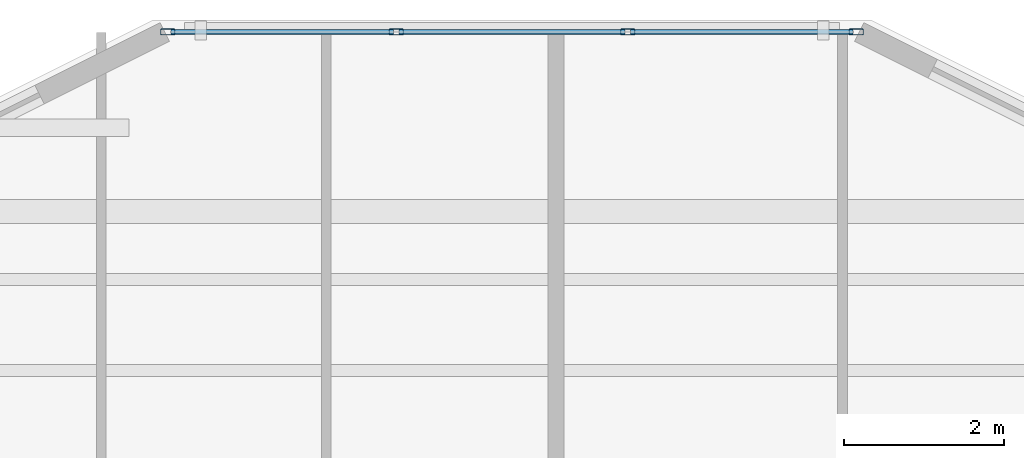
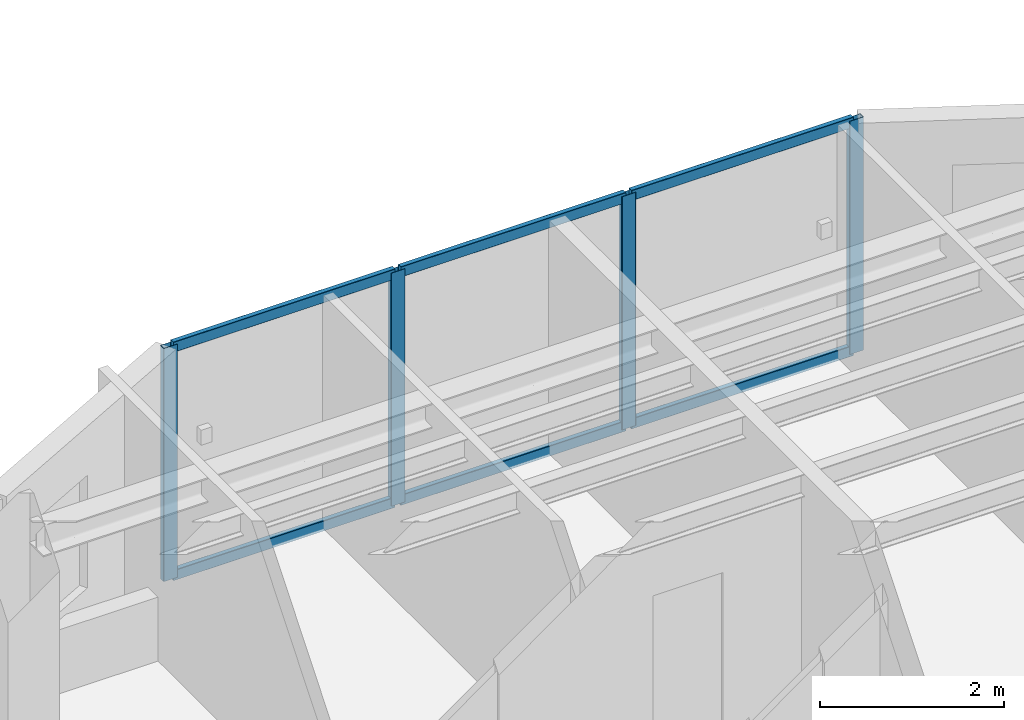
# One storey, part 4 of 15: 10 members, 1 element without a shape of its own.
"""IFC4 building model written with IfcOpenShell, lengths in metres."""

from ifc_helpers import new_model, si_unit, direction, frame, origin, origin_2d, place, context, subcontext, project, spatial, hollow_rectangle, extrude, material, layer, layer_set, material_profile, profile_set, type_object, element, aggregate, save


model = new_model("IFC4")

# Units and contexts
model_context = context("Model", 3, precision=1e-05, world=origin(), true_north=direction((0.0, 1.0)))
body_context = subcontext(model_context, "Body", "Model", "MODEL_VIEW")
ifc_project = project(units=[si_unit("LENGTHUNIT", "METRE"), si_unit("AREAUNIT", "SQUARE_METRE"), si_unit("VOLUMEUNIT", "CUBIC_METRE"), si_unit("PLANEANGLEUNIT", "RADIAN"), si_unit("MASSUNIT", "GRAM", prefix="KILO")], contexts=[model_context])

# Site, building, storey
site_placement = place(None, origin())
site = spatial("IfcSite", under=ifc_project, at=site_placement, CompositionType="ELEMENT")
building_placement = place(site_placement, origin())
building = spatial("IfcBuilding", under=site, at=building_placement, Name="Tarnavaz Court Tower", CompositionType="ELEMENT")
storey_placement = place(building_placement, frame((0.0, 0.0, 241.5)))
storey = spatial("IfcBuildingStorey", under=building, at=storey_placement, Name="L65", CompositionType="ELEMENT", Elevation=241.5)

# Curtain wall, members
ifc_material_1 = material(Name="Anodised Aluminium 6063-T6 and Solar Low-E Glazing", Category="aluminium")
ifc_layer = layer(ifc_material_1, 0.159912109375)
ifc_layer_set = layer_set([ifc_layer], Name="Anodised Aluminium 6063-T6 and Solar Low-E Glazing")
curtain_wall_type = type_object("IfcCurtainWallType", Name="CW-SYS-03", PredefinedType="NOTDEFINED", material=ifc_layer_set)
curtain_wall_placement = place(storey_placement, origin())
curtain_wall = element("IfcCurtainWall", 1, at=curtain_wall_placement, inside=storey, type_object=curtain_wall_type, Name="L65 Iwan Prow Curtain Wall 7", PredefinedType="NOTDEFINED")
ifc_material_2 = material(Name="Anodised Aluminium 6063-T6", Category="aluminium")
ifc_material_profile_1 = material_profile(ifc_material_2, hollow_rectangle(XDim=0.074951171875, YDim=0.179931640625, WallThickness=0.0048828125, InnerFilletRadius=0.0048828125, OuterFilletRadius=0.010009765625, at=origin_2d()), Name="ALU RHS 180X75X5")
ifc_profile_set_1 = profile_set([ifc_material_profile_1], Name="Anodised Aluminium 6063-T6")
member_type_1 = type_object("IfcMemberType", Name="CW-MUL-180", PredefinedType="MULLION", material=ifc_profile_set_1)
member_1_placement = place(storey_placement, frame((-4.3125, 22.35009765625, 0.0), z_axis=(0.0, 0.0, 1.0), x_axis=(0.0, 1.0, 0.0)))
member_1 = element("IfcMember", 2, at=member_1_placement, type_object=member_type_1, Name="CW mullion 1", PredefinedType="MULLION", context=body_context, shape_type="SweptSolid", body=[
    extrude(hollow_rectangle(XDim=0.074951171875, YDim=0.179931640625, WallThickness=0.0048828125, InnerFilletRadius=0.0048828125, OuterFilletRadius=0.010009765625, at=origin_2d()), origin(), (0.0, 0.0, 1.0), 3.10009765625),
])
member_2_placement = place(storey_placement, frame((-1.449951171875, 22.35009765625, 0.0), z_axis=(0.0, 0.0, 1.0), x_axis=(0.0, 1.0, 0.0)))
member_2 = element("IfcMember", 3, at=member_2_placement, type_object=member_type_1, Name="CW mullion 2", PredefinedType="MULLION", context=body_context, shape_type="SweptSolid", body=[
    extrude(hollow_rectangle(XDim=0.074951171875, YDim=0.179931640625, WallThickness=0.0048828125, InnerFilletRadius=0.0048828125, OuterFilletRadius=0.010009765625, at=origin_2d()), origin(), (0.0, 0.0, 1.0), 3.10009765625),
])
member_3_placement = place(storey_placement, frame((1.449951171875, 22.35009765625, 0.0), z_axis=(0.0, 0.0, 1.0), x_axis=(0.0, 1.0, 0.0)))
member_3 = element("IfcMember", 4, at=member_3_placement, type_object=member_type_1, Name="CW mullion 3", PredefinedType="MULLION", context=body_context, shape_type="SweptSolid", body=[
    extrude(hollow_rectangle(XDim=0.074951171875, YDim=0.179931640625, WallThickness=0.0048828125, InnerFilletRadius=0.0048828125, OuterFilletRadius=0.010009765625, at=origin_2d()), origin(), (0.0, 0.0, 1.0), 3.10009765625),
])
member_4_placement = place(storey_placement, frame((4.3125, 22.35009765625, 0.0), z_axis=(0.0, 0.0, 1.0), x_axis=(0.0, 1.0, 0.0)))
member_4 = element("IfcMember", 5, at=member_4_placement, type_object=member_type_1, Name="CW mullion 4", PredefinedType="MULLION", context=body_context, shape_type="SweptSolid", body=[
    extrude(hollow_rectangle(XDim=0.074951171875, YDim=0.179931640625, WallThickness=0.0048828125, InnerFilletRadius=0.0048828125, OuterFilletRadius=0.010009765625, at=origin_2d()), origin(), (0.0, 0.0, 1.0), 3.10009765625),
])
ifc_material_profile_2 = material_profile(ifc_material_2, hollow_rectangle(XDim=0.06494140625, YDim=0.139892578125, WallThickness=0.00390625, InnerFilletRadius=0.00390625, OuterFilletRadius=0.008056640625, at=origin_2d()), Name="ALU RHS 140X65X4")
ifc_profile_set_2 = profile_set([ifc_material_profile_2], Name="Anodised Aluminium 6063-T6")
member_type_2 = type_object("IfcMemberType", Name="CW-TRN-140", PredefinedType="USERDEFINED", material=ifc_profile_set_2)
member_5_placement = place(storey_placement, frame((-4.27490234375, 22.35009765625, 0.032470703125), z_axis=(1.0, 0.0, 0.0), x_axis=(0.0, 1.0, 0.0)))
member_5 = element("IfcMember", 6, at=member_5_placement, type_object=member_type_2, Name="CW transom 1.1", ObjectType="TRANSOM", PredefinedType="USERDEFINED", context=body_context, shape_type="SweptSolid", body=[
    extrude(hollow_rectangle(XDim=0.06494140625, YDim=0.139892578125, WallThickness=0.00390625, InnerFilletRadius=0.00390625, OuterFilletRadius=0.008056640625, at=origin_2d()), origin(), (0.0, 0.0, 1.0), 2.787353515625),
])
member_6_placement = place(storey_placement, frame((-4.27490234375, 22.35009765625, 3.0673828125), z_axis=(1.0, 0.0, 0.0), x_axis=(0.0, 1.0, 0.0)))
member_6 = element("IfcMember", 7, at=member_6_placement, type_object=member_type_2, Name="CW transom 1.2", ObjectType="TRANSOM", PredefinedType="USERDEFINED", context=body_context, shape_type="SweptSolid", body=[
    extrude(hollow_rectangle(XDim=0.06494140625, YDim=0.139892578125, WallThickness=0.00390625, InnerFilletRadius=0.00390625, OuterFilletRadius=0.008056640625, at=origin_2d()), origin(), (0.0, 0.0, 1.0), 2.787353515625),
])
member_7_placement = place(storey_placement, frame((-1.41259765625, 22.35009765625, 0.032470703125), z_axis=(1.0, 0.0, 0.0), x_axis=(0.0, 1.0, 0.0)))
member_7 = element("IfcMember", 8, at=member_7_placement, type_object=member_type_2, Name="CW transom 2.1", ObjectType="TRANSOM", PredefinedType="USERDEFINED", context=body_context, shape_type="SweptSolid", body=[
    extrude(hollow_rectangle(XDim=0.06494140625, YDim=0.139892578125, WallThickness=0.00390625, InnerFilletRadius=0.00390625, OuterFilletRadius=0.008056640625, at=origin_2d()), origin(), (0.0, 0.0, 1.0), 2.8251953125),
])
member_8_placement = place(storey_placement, frame((-1.41259765625, 22.35009765625, 3.0673828125), z_axis=(1.0, 0.0, 0.0), x_axis=(0.0, 1.0, 0.0)))
member_8 = element("IfcMember", 9, at=member_8_placement, type_object=member_type_2, Name="CW transom 2.2", ObjectType="TRANSOM", PredefinedType="USERDEFINED", context=body_context, shape_type="SweptSolid", body=[
    extrude(hollow_rectangle(XDim=0.06494140625, YDim=0.139892578125, WallThickness=0.00390625, InnerFilletRadius=0.00390625, OuterFilletRadius=0.008056640625, at=origin_2d()), origin(), (0.0, 0.0, 1.0), 2.8251953125),
])
member_9_placement = place(storey_placement, frame((1.487548828125, 22.35009765625, 0.032470703125), z_axis=(1.0, 0.0, 0.0), x_axis=(0.0, 1.0, 0.0)))
member_9 = element("IfcMember", 10, at=member_9_placement, type_object=member_type_2, Name="CW transom 3.1", ObjectType="TRANSOM", PredefinedType="USERDEFINED", context=body_context, shape_type="SweptSolid", body=[
    extrude(hollow_rectangle(XDim=0.06494140625, YDim=0.139892578125, WallThickness=0.00390625, InnerFilletRadius=0.00390625, OuterFilletRadius=0.008056640625, at=origin_2d()), origin(), (0.0, 0.0, 1.0), 2.787353515625),
])
member_10_placement = place(storey_placement, frame((1.487548828125, 22.35009765625, 3.0673828125), z_axis=(1.0, 0.0, 0.0), x_axis=(0.0, 1.0, 0.0)))
member_10 = element("IfcMember", 11, at=member_10_placement, type_object=member_type_2, Name="CW transom 3.2", ObjectType="TRANSOM", PredefinedType="USERDEFINED", context=body_context, shape_type="SweptSolid", body=[
    extrude(hollow_rectangle(XDim=0.06494140625, YDim=0.139892578125, WallThickness=0.00390625, InnerFilletRadius=0.00390625, OuterFilletRadius=0.008056640625, at=origin_2d()), origin(), (0.0, 0.0, 1.0), 2.787353515625),
])
aggregate(curtain_wall, [member_1, member_2, member_3, member_4, member_5, member_6, member_7, member_8, member_9, member_10])

save(model, "model.ifc")
